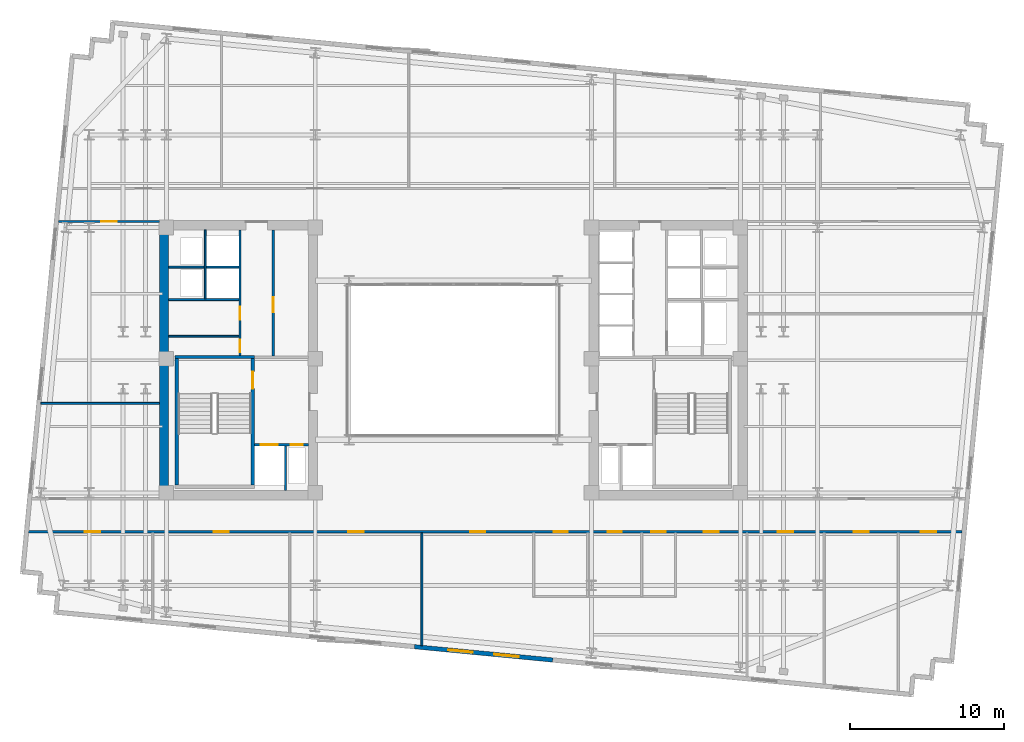
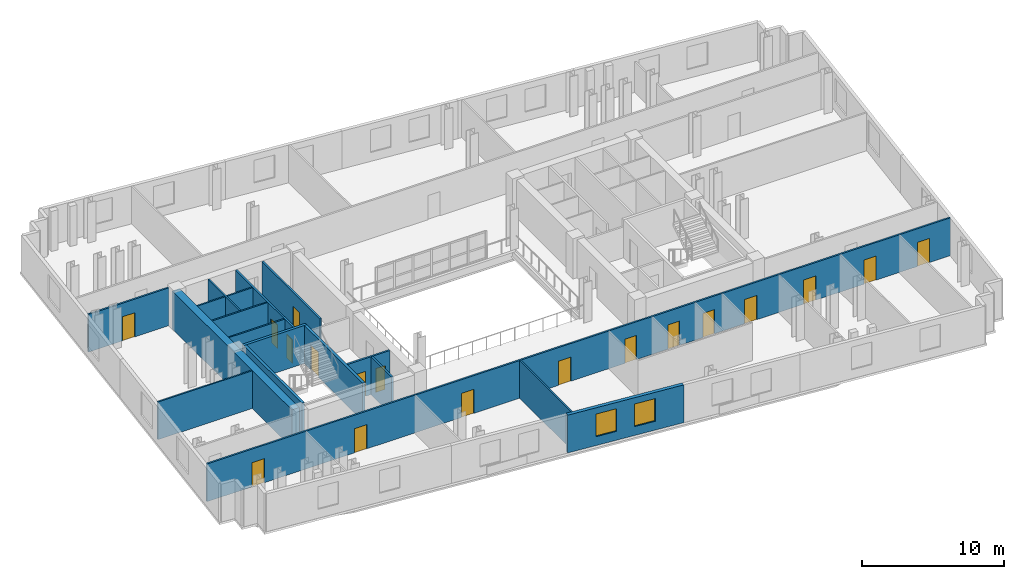
# One storey, part 5 of 10: 18 doors, 18 walls, 2 windows, 20 openings.
"""IFC4 building model written with IfcOpenShell, lengths in metres."""

from ifc_helpers import new_model, si_unit, direction, frame, frame_2d, origin, place, context, subcontext, project, spatial, rectangle, extrude, material, layer, layer_set, type_object, element, fill, save


model = new_model("IFC4")

# Units and contexts
model_context = context("Model", 3, precision=1e-05, world=origin(), true_north=direction((0.0, 1.0)))
body_context = subcontext(model_context, "Body", "Model", "MODEL_VIEW")
ifc_project = project(units=[si_unit("LENGTHUNIT", "METRE"), si_unit("AREAUNIT", "SQUARE_METRE"), si_unit("VOLUMEUNIT", "CUBIC_METRE"), si_unit("PLANEANGLEUNIT", "RADIAN"), si_unit("MASSUNIT", "GRAM", prefix="KILO")], contexts=[model_context])

# Site, building, storey
site_placement = place(None, origin())
site = spatial("IfcSite", under=ifc_project, at=site_placement, CompositionType="ELEMENT")
building_placement = place(site_placement, origin())
building = spatial("IfcBuilding", under=site, at=building_placement, Name="Velakula Bourse", CompositionType="ELEMENT")
storey_placement = place(building_placement, frame((0.0, 0.0, 174.199951171875)))
storey = spatial("IfcBuildingStorey", under=building, at=storey_placement, Name="L47", CompositionType="ELEMENT", Elevation=174.199951171875)

# Wall, opening, door
ifc_material_1 = material(Name="Concrete M50 (fck 50 MPa)", Category="concrete")
ifc_layer_1 = layer(ifc_material_1, 0.2099609375, Name="Concrete M50 (fck 50 MPa)", Category="concrete")
ifc_layer_set_1 = layer_set([ifc_layer_1], Name="Concrete M50 (fck 50 MPa)")
wall_type_1 = type_object("IfcWallType", Name="WL-CORE-210", PredefinedType="SHEAR", material=ifc_layer_set_1)
wall_1_placement = place(storey_placement, frame((-12.9951171875, -8.10009765625, 0.0), z_axis=(0.0, 0.0, 1.0), x_axis=(0.0, 1.0, 0.0)))
wall_1 = element("IfcWall", 1, at=wall_1_placement, inside=storey, type_object=wall_type_1, Name="L47 Core W Stairwell Shear Wall IN", PredefinedType="SHEAR", context=body_context, shape_type="SweptSolid", body=[
    extrude(rectangle(XDim=8.2001953125, YDim=0.2099609375, at=frame_2d((4.10009765625, 0.0))), origin(), (0.0, 0.0, 1.0), 3.27001953125),
])
opening_1_placement = place(wall_1_placement, frame((6.25, 0.0, 0.0)))
opening_1 = element("IfcOpeningElement", 2, at=opening_1_placement, cuts=wall_1, Name="Opening D-STW1", PredefinedType="OPENING", context=body_context, shape_type="SweptSolid", body=[
    extrude(rectangle(XDim=1.10009765625, YDim=2.14990234375, at=frame_2d((0.550048828125, 1.074951171875))), frame((0.0, 0.114990234375, 0.0), z_axis=(0.0, -1.0, 0.0), x_axis=(1.0, 0.0, 0.0)), (0.0, 0.0, 1.0), 0.22998046875),
])
ifc_material_2 = material(Name="Galvanised painted hollow steel fire door", Category="steel")
door_type_1 = type_object("IfcDoorType", Name="DR-FD120-1100x2150", OperationType="NOTDEFINED", PredefinedType="DOOR", material=ifc_material_2)
door_1_placement = place(opening_1_placement, origin())
door_1 = element("IfcDoor", 3, at=door_1_placement, inside=storey, type_object=door_type_1, Name="L47 Stair ST-W1 Fire Door", OperationType="SINGLE_SWING_LEFT", OverallHeight=2.14990234375, OverallWidth=1.10009765625, PredefinedType="DOOR", context=body_context, shape_type="SweptSolid", body=[
    extrude(rectangle(XDim=1.10009765625, YDim=2.14990234375, at=frame_2d((0.550048828125, 1.074951171875))), frame((0.0, 0.02490234375, 0.0), z_axis=(0.0, -1.0, 0.0), x_axis=(1.0, 0.0, 0.0)), (0.0, 0.0, 1.0), 0.050048828125),
])
fill(opening_1, door_1)

# Walls
wall_2_placement = place(storey_placement, frame((-17.925048828125, -8.10009765625, 0.0), z_axis=(0.0, 0.0, 1.0), x_axis=(0.0, 1.0, 0.0)))
element("IfcWall", 4, at=wall_2_placement, inside=storey, type_object=wall_type_1, Name="L47 Core W Stairwell Shear Wall OUT", PredefinedType="SHEAR", context=body_context, shape_type="SweptSolid", body=[
    extrude(rectangle(XDim=8.2001953125, YDim=0.2099609375, at=frame_2d((4.10009765625, 0.0))), origin(), (0.0, 0.0, 1.0), 3.27001953125),
])
wall_3_placement = place(storey_placement, frame((-12.889892578125, 0.205078125, 0.0), z_axis=(0.0, 0.0, 1.0), x_axis=(-1.0, 0.0, 0.0)))
element("IfcWall", 5, at=wall_3_placement, inside=storey, type_object=wall_type_1, Name="L47 Core W Stairwell Shear Wall N", PredefinedType="SHEAR", context=body_context, shape_type="SweptSolid", body=[
    extrude(rectangle(XDim=5.14013671875, YDim=0.2099609375, at=frame_2d((2.570068359375, 0.0))), origin(), (0.0, 0.0, 1.0), 3.27001953125),
])
ifc_material_3 = material(Name="Concrete M70 (fck 70 MPa)", Category="concrete")
ifc_layer_2 = layer(ifc_material_3, 0.60009765625, Name="Concrete M70 (fck 70 MPa)", Category="concrete")
ifc_layer_set_2 = layer_set([ifc_layer_2], Name="Concrete M70 (fck 70 MPa)")
wall_type_2 = type_object("IfcWallType", Name="WL-CORE-600", PredefinedType="SHEAR", material=ifc_layer_set_2)
wall_4_placement = place(storey_placement, frame((-18.75, -8.449951171875, 0.0), z_axis=(0.0, 0.0, 1.0), x_axis=(0.0, 1.0, 0.0)))
element("IfcWall", 6, at=wall_4_placement, inside=storey, type_object=wall_type_2, Name="L47 Core W Shear Wall W", PredefinedType="SHEAR", context=body_context, shape_type="SweptSolid", body=[
    extrude(rectangle(XDim=16.89990234375, YDim=0.60009765625, at=frame_2d((8.449951171875, 0.0))), origin(), (0.0, 0.0, 1.0), 3.27001953125),
])

# Wall, openings, windows
ifc_material_4 = material(Name="Red kilned clay facing brick masonry", Category="masonry")
ifc_layer_3 = layer(ifc_material_4, 0.280029296875, Name="Red kilned clay facing brick masonry", Category="masonry")
ifc_layer_set_3 = layer_set([ifc_layer_3], Name="Red kilned clay facing brick masonry")
wall_type_3 = type_object("IfcWallType", Name="WL-EXT-BRK-280", PredefinedType="STANDARD", material=ifc_layer_set_3)
wall_5_placement = place(storey_placement, frame((6.43994140625, -19.432861328125, 0.0), z_axis=(0.0, 0.0, 1.0), x_axis=(-0.995396794462, 0.09583956164, 0.0)))
wall_5 = element("IfcWall", 7, at=wall_5_placement, inside=storey, type_object=wall_type_3, Name="L47 S Brick Spandrel Wall B3", PredefinedType="STANDARD", context=body_context, shape_type="SweptSolid", body=[
    extrude(rectangle(XDim=9.0, YDim=0.280029296875, at=frame_2d((4.5, 0.0))), origin(), (0.0, 0.0, 1.0), 3.25),
])
opening_2_placement = place(wall_5_placement, frame((2.199951171875, 0.0, 0.760009765625)))
opening_2 = element("IfcOpeningElement", 8, at=opening_2_placement, cuts=wall_5, Name="Opening W-02", PredefinedType="OPENING", context=body_context, shape_type="SweptSolid", body=[
    extrude(rectangle(XDim=1.60009765625, YDim=1.949951171875, at=frame_2d((0.800048828125, 0.97509765625))), frame((0.0, 0.14990234375, 0.0), z_axis=(0.0, -1.0, 0.0), x_axis=(1.0, 0.0, 0.0)), (0.0, 0.0, 1.0), 0.300048828125),
])
opening_3_placement = place(wall_5_placement, frame((5.199951171875, 0.0, 0.760009765625)))
opening_3 = element("IfcOpeningElement", 9, at=opening_3_placement, cuts=wall_5, Name="Opening W-02", PredefinedType="OPENING", context=body_context, shape_type="SweptSolid", body=[
    extrude(rectangle(XDim=1.60009765625, YDim=1.949951171875, at=frame_2d((0.800048828125, 0.97509765625))), frame((0.0, 0.14990234375, 0.0), z_axis=(0.0, -1.0, 0.0), x_axis=(1.0, 0.0, 0.0)), (0.0, 0.0, 1.0), 0.300048828125),
])
ifc_material_5 = material(Name="Double-glazed solar-control Low-E glass", Category="glass")
window_type = type_object("IfcWindowType", Name="WIN-TWR-1600x2100", PartitioningType="SINGLE_PANEL", PredefinedType="WINDOW", material=ifc_material_5)
window_1_placement = place(opening_2_placement, origin())
window_1 = element("IfcWindow", 10, at=window_1_placement, inside=storey, type_object=window_type, Name="L47 Deep-Set Recessed Window 1", OverallHeight=1.949951171875, OverallWidth=1.60009765625, PartitioningType="SINGLE_PANEL", PredefinedType="WINDOW", context=body_context, shape_type="SweptSolid", body=[
    extrude(rectangle(XDim=1.60009765625, YDim=1.949951171875, at=frame_2d((0.800048828125, 0.97509765625))), frame((0.0, 0.030029296875, 0.0), z_axis=(0.0, -1.0, 0.0), x_axis=(1.0, 0.0, 0.0)), (0.0, 0.0, 1.0), 0.06005859375),
])
fill(opening_2, window_1)
window_2_placement = place(opening_3_placement, origin())
window_2 = element("IfcWindow", 11, at=window_2_placement, inside=storey, type_object=window_type, Name="L47 Deep-Set Recessed Window 2", OverallHeight=1.949951171875, OverallWidth=1.60009765625, PartitioningType="SINGLE_PANEL", PredefinedType="WINDOW", context=body_context, shape_type="SweptSolid", body=[
    extrude(rectangle(XDim=1.60009765625, YDim=1.949951171875, at=frame_2d((0.800048828125, 0.97509765625))), frame((0.0, 0.030029296875, 0.0), z_axis=(0.0, -1.0, 0.0), x_axis=(1.0, 0.0, 0.0)), (0.0, 0.0, 1.0), 0.06005859375),
])
fill(opening_3, window_2)

# Walls
ifc_material_6 = material(Name="Fire-rated double-layer gypsum drywall partition", Category="gypsum")
ifc_layer_4 = layer(ifc_material_6, 0.1201171875, Name="Fire-rated double-layer gypsum drywall partition", Category="gypsum")
ifc_layer_set_4 = layer_set([ifc_layer_4], Name="Fire-rated double-layer gypsum drywall partition")
wall_type_4 = type_object("IfcWallType", Name="WL-PART-120", PredefinedType="STANDARD", material=ifc_layer_set_4)
wall_6_placement = place(storey_placement, frame((-18.449951171875, 3.919921875, 0.0), z_axis=(0.0, 0.0, 1.0), x_axis=(1.0, 0.0, 0.0)))
element("IfcWall", 12, at=wall_6_placement, inside=storey, type_object=wall_type_4, Name="L47 Interior Partition WL-CRW-L47-HI-S", PredefinedType="STANDARD", context=body_context, shape_type="SweptSolid", body=[
    extrude(rectangle(XDim=4.550048828125, YDim=0.1201171875, at=frame_2d((2.27490234375, 0.0))), origin(), (0.0, 0.0, 1.0), 3.25),
])
wall_7_placement = place(storey_placement, frame((-18.449951171875, 6.030029296875, 0.0), z_axis=(0.0, 0.0, 1.0), x_axis=(1.0, 0.0, 0.0)))
element("IfcWall", 13, at=wall_7_placement, inside=storey, type_object=wall_type_4, Name="L47 Interior Partition WL-CRW-L47-RIS-MID", PredefinedType="STANDARD", context=body_context, shape_type="SweptSolid", body=[
    extrude(rectangle(XDim=2.300048828125, YDim=0.1201171875, at=frame_2d((1.14990234375, 0.0))), origin(), (0.0, 0.0, 1.0), 3.25),
])
wall_8_placement = place(storey_placement, frame((-16.074951171875, 3.97998046875, 0.0), z_axis=(0.0, 0.0, 1.0), x_axis=(0.0, 1.0, 0.0)))
element("IfcWall", 14, at=wall_8_placement, inside=storey, type_object=wall_type_4, Name="L47 Interior Partition WL-CRW-L47-RIS-F", PredefinedType="STANDARD", context=body_context, shape_type="SweptSolid", body=[
    extrude(rectangle(XDim=4.469970703125, YDim=0.1201171875, at=frame_2d((2.23486328125, 0.0))), origin(), (0.0, 0.0, 1.0), 3.25),
])
wall_9_placement = place(storey_placement, frame((-16.0, 6.030029296875, 0.0), z_axis=(0.0, 0.0, 1.0), x_axis=(1.0, 0.0, 0.0)))
element("IfcWall", 15, at=wall_9_placement, inside=storey, type_object=wall_type_4, Name="L47 Interior Partition WL-CRW-L47-HI-DIV", PredefinedType="STANDARD", context=body_context, shape_type="SweptSolid", body=[
    extrude(rectangle(XDim=2.10009765625, YDim=0.1201171875, at=frame_2d((1.050048828125, 0.0))), origin(), (0.0, 0.0, 1.0), 3.25),
])
wall_10_placement = place(storey_placement, frame((-18.449951171875, 1.550048828125, 0.0), z_axis=(0.0, 0.0, 1.0), x_axis=(1.0, 0.0, 0.0)))
element("IfcWall", 16, at=wall_10_placement, inside=storey, type_object=wall_type_4, Name="L47 Interior Partition WL-CRW-L47-K1", PredefinedType="STANDARD", context=body_context, shape_type="SweptSolid", body=[
    extrude(rectangle(XDim=4.550048828125, YDim=0.1201171875, at=frame_2d((2.27490234375, 0.0))), origin(), (0.0, 0.0, 1.0), 3.25),
])
wall_11_placement = place(storey_placement, frame((-2.041015625, -18.495849609375, 0.0), z_axis=(0.0, 0.0, 1.0), x_axis=(0.0, 1.0, 0.0)))
element("IfcWall", 17, at=wall_11_placement, inside=storey, type_object=wall_type_4, Name="L47 Interior Partition WL-INT-L47-SL-D7", PredefinedType="STANDARD", context=body_context, shape_type="SweptSolid", body=[
    extrude(rectangle(XDim=7.305908203125, YDim=0.1201171875, at=frame_2d((3.65283203125, 0.0))), origin(), (0.0, 0.0, 1.0), 3.25),
])
wall_12_placement = place(storey_placement, frame((-26.738525390625, -2.800048828125, 0.0), z_axis=(0.0, 0.0, 1.0), x_axis=(1.0, 0.0, 0.0)))
element("IfcWall", 18, at=wall_12_placement, inside=storey, type_object=wall_type_4, Name="L47 Interior Partition WL-INT-L47-W-H", PredefinedType="STANDARD", context=body_context, shape_type="SweptSolid", body=[
    extrude(rectangle(XDim=7.6884765625, YDim=0.1201171875, at=frame_2d((3.84423828125, 0.0))), origin(), (0.0, 0.0, 1.0), 3.25),
])

# Wall, openings, doors
ifc_layer_5 = layer(ifc_material_6, 0.139892578125, Name="Fire-rated double-layer gypsum drywall partition", Category="gypsum")
ifc_layer_set_5 = layer_set([ifc_layer_5], Name="Fire-rated double-layer gypsum drywall partition")
wall_type_5 = type_object("IfcWallType", Name="WL-PART-140", PredefinedType="STANDARD", material=ifc_layer_set_5)
wall_13_placement = place(storey_placement, frame((-27.539794921875, -11.1201171875, 0.0), z_axis=(0.0, 0.0, 1.0), x_axis=(1.0, 0.0, 0.0)))
wall_13 = element("IfcWall", 19, at=wall_13_placement, inside=storey, type_object=wall_type_5, Name="L47 Interior Partition WL-INT-L47-S-CORR", PredefinedType="STANDARD", context=body_context, shape_type="SweptSolid", body=[
    extrude(rectangle(XDim=60.518798828125, YDim=0.139892578125, at=frame_2d((30.25927734375, 0.0))), origin(), (0.0, 0.0, 1.0), 3.25),
])
opening_4_placement = place(wall_13_placement, frame((34.02978515625, 0.0, 0.0)))
opening_4 = element("IfcOpeningElement", 20, at=opening_4_placement, cuts=wall_13, Name="Opening D-WT1", PredefinedType="OPENING", context=body_context, shape_type="SweptSolid", body=[
    extrude(rectangle(XDim=0.919921875, YDim=2.080078125, at=frame_2d((0.4599609375, 1.0400390625))), frame((0.0, 0.079833984375, 0.0), z_axis=(0.0, -1.0, 0.0), x_axis=(1.0, 0.0, 0.0)), (0.0, 0.0, 1.0), 0.159912109375),
])
opening_5_placement = place(wall_13_placement, frame((37.52978515625, 0.0, 0.0)))
opening_5 = element("IfcOpeningElement", 21, at=opening_5_placement, cuts=wall_13, Name="Opening D-WT1", PredefinedType="OPENING", context=body_context, shape_type="SweptSolid", body=[
    extrude(rectangle(XDim=0.919921875, YDim=2.080078125, at=frame_2d((0.4599609375, 1.0400390625))), frame((0.0, 0.079833984375, 0.0), z_axis=(0.0, -1.0, 0.0), x_axis=(1.0, 0.0, 0.0)), (0.0, 0.0, 1.0), 0.159912109375),
])
opening_6_placement = place(wall_13_placement, frame((40.379638671875, 0.0, 0.0)))
opening_6 = element("IfcOpeningElement", 22, at=opening_6_placement, cuts=wall_13, Name="Opening D-WC1", PredefinedType="OPENING", context=body_context, shape_type="SweptSolid", body=[
    extrude(rectangle(XDim=0.919921875, YDim=2.080078125, at=frame_2d((0.4599609375, 1.0400390625))), frame((0.0, 0.079833984375, 0.0), z_axis=(0.0, -1.0, 0.0), x_axis=(1.0, 0.0, 0.0)), (0.0, 0.0, 1.0), 0.159912109375),
])
opening_7_placement = place(wall_13_placement, frame((3.6533203125, 0.0, 0.0)))
opening_7 = element("IfcOpeningElement", 23, at=opening_7_placement, cuts=wall_13, Name="Opening D-OF1", PredefinedType="OPENING", context=body_context, shape_type="SweptSolid", body=[
    extrude(rectangle(XDim=1.0, YDim=2.080078125, at=frame_2d((0.5, 1.0400390625))), frame((0.0, 0.079833984375, 0.0), z_axis=(0.0, -1.0, 0.0), x_axis=(1.0, 0.0, 0.0)), (0.0, 0.0, 1.0), 0.159912109375),
])
opening_8_placement = place(wall_13_placement, frame((11.997802734375, 0.0, 0.0)))
opening_8 = element("IfcOpeningElement", 24, at=opening_8_placement, cuts=wall_13, Name="Opening D-OF1", PredefinedType="OPENING", context=body_context, shape_type="SweptSolid", body=[
    extrude(rectangle(XDim=1.0, YDim=2.080078125, at=frame_2d((0.5, 1.0400390625))), frame((0.0, 0.079833984375, 0.0), z_axis=(0.0, -1.0, 0.0), x_axis=(1.0, 0.0, 0.0)), (0.0, 0.0, 1.0), 0.159912109375),
])
opening_9_placement = place(wall_13_placement, frame((20.7197265625, 0.0, 0.0)))
opening_9 = element("IfcOpeningElement", 25, at=opening_9_placement, cuts=wall_13, Name="Opening D-OF1", PredefinedType="OPENING", context=body_context, shape_type="SweptSolid", body=[
    extrude(rectangle(XDim=1.0, YDim=2.080078125, at=frame_2d((0.5, 1.0400390625))), frame((0.0, 0.079833984375, 0.0), z_axis=(0.0, -1.0, 0.0), x_axis=(1.0, 0.0, 0.0)), (0.0, 0.0, 1.0), 0.159912109375),
])
opening_10_placement = place(wall_13_placement, frame((28.619140625, 0.0, 0.0)))
opening_10 = element("IfcOpeningElement", 26, at=opening_10_placement, cuts=wall_13, Name="Opening D-OF1", PredefinedType="OPENING", context=body_context, shape_type="SweptSolid", body=[
    extrude(rectangle(XDim=1.0, YDim=2.080078125, at=frame_2d((0.5, 1.0400390625))), frame((0.0, 0.079833984375, 0.0), z_axis=(0.0, -1.0, 0.0), x_axis=(1.0, 0.0, 0.0)), (0.0, 0.0, 1.0), 0.159912109375),
])
opening_11_placement = place(wall_13_placement, frame((43.753662109375, 0.0, 0.0)))
opening_11 = element("IfcOpeningElement", 27, at=opening_11_placement, cuts=wall_13, Name="Opening D-OF1", PredefinedType="OPENING", context=body_context, shape_type="SweptSolid", body=[
    extrude(rectangle(XDim=1.0, YDim=2.080078125, at=frame_2d((0.5, 1.0400390625))), frame((0.0, 0.079833984375, 0.0), z_axis=(0.0, -1.0, 0.0), x_axis=(1.0, 0.0, 0.0)), (0.0, 0.0, 1.0), 0.159912109375),
])
opening_12_placement = place(wall_13_placement, frame((48.566650390625, 0.0, 0.0)))
opening_12 = element("IfcOpeningElement", 28, at=opening_12_placement, cuts=wall_13, Name="Opening D-OF1", PredefinedType="OPENING", context=body_context, shape_type="SweptSolid", body=[
    extrude(rectangle(XDim=1.0, YDim=2.080078125, at=frame_2d((0.5, 1.0400390625))), frame((0.0, 0.079833984375, 0.0), z_axis=(0.0, -1.0, 0.0), x_axis=(1.0, 0.0, 0.0)), (0.0, 0.0, 1.0), 0.159912109375),
])
opening_13_placement = place(wall_13_placement, frame((53.47216796875, 0.0, 0.0)))
opening_13 = element("IfcOpeningElement", 29, at=opening_13_placement, cuts=wall_13, Name="Opening D-OF1", PredefinedType="OPENING", context=body_context, shape_type="SweptSolid", body=[
    extrude(rectangle(XDim=1.0, YDim=2.080078125, at=frame_2d((0.5, 1.0400390625))), frame((0.0, 0.079833984375, 0.0), z_axis=(0.0, -1.0, 0.0), x_axis=(1.0, 0.0, 0.0)), (0.0, 0.0, 1.0), 0.159912109375),
])
opening_14_placement = place(wall_13_placement, frame((57.822509765625, 0.0, 0.0)))
opening_14 = element("IfcOpeningElement", 30, at=opening_14_placement, cuts=wall_13, Name="Opening D-OF1", PredefinedType="OPENING", context=body_context, shape_type="SweptSolid", body=[
    extrude(rectangle(XDim=1.0, YDim=2.080078125, at=frame_2d((0.5, 1.0400390625))), frame((0.0, 0.079833984375, 0.0), z_axis=(0.0, -1.0, 0.0), x_axis=(1.0, 0.0, 0.0)), (0.0, 0.0, 1.0), 0.159912109375),
])
ifc_material_7 = material(Name="Fire-rated hardwood flush architectural door", Category="wood")
door_type_2 = type_object("IfcDoorType", Name="DR-OFF-1000", OperationType="NOTDEFINED", PredefinedType="DOOR", material=ifc_material_7)
door_2_placement = place(opening_7_placement, origin())
door_2 = element("IfcDoor", 31, at=door_2_placement, inside=storey, type_object=door_type_2, Name="L47 Quiet Financial Library Door", OperationType="SINGLE_SWING_LEFT", OverallHeight=2.080078125, OverallWidth=1.0, PredefinedType="DOOR", context=body_context, shape_type="SweptSolid", body=[
    extrude(rectangle(XDim=1.0, YDim=2.080078125, at=frame_2d((0.5, 1.0400390625))), frame((0.0, 0.02490234375, 0.0), z_axis=(0.0, -1.0, 0.0), x_axis=(1.0, 0.0, 0.0)), (0.0, 0.0, 1.0), 0.050048828125),
])
fill(opening_7, door_2)
door_3_placement = place(opening_8_placement, origin())
door_3 = element("IfcDoor", 32, at=door_3_placement, inside=storey, type_object=door_type_2, Name="L47 Company Secretary Office Door", OperationType="SINGLE_SWING_RIGHT", OverallHeight=2.080078125, OverallWidth=1.0, PredefinedType="DOOR", context=body_context, shape_type="SweptSolid", body=[
    extrude(rectangle(XDim=1.0, YDim=2.080078125, at=frame_2d((0.5, 1.0400390625))), frame((0.0, 0.02490234375, 0.0), z_axis=(0.0, -1.0, 0.0), x_axis=(1.0, 0.0, 0.0)), (0.0, 0.0, 1.0), 0.050048828125),
])
fill(opening_8, door_3)
door_4_placement = place(opening_9_placement, origin())
door_4 = element("IfcDoor", 33, at=door_4_placement, inside=storey, type_object=door_type_2, Name="L47 Risk Review Boardroom Door", OperationType="SINGLE_SWING_LEFT", OverallHeight=2.080078125, OverallWidth=1.0, PredefinedType="DOOR", context=body_context, shape_type="SweptSolid", body=[
    extrude(rectangle(XDim=1.0, YDim=2.080078125, at=frame_2d((0.5, 1.0400390625))), frame((0.0, 0.02490234375, 0.0), z_axis=(0.0, -1.0, 0.0), x_axis=(1.0, 0.0, 0.0)), (0.0, 0.0, 1.0), 0.050048828125),
])
fill(opening_9, door_4)
door_5_placement = place(opening_10_placement, origin())
door_5 = element("IfcDoor", 34, at=door_5_placement, inside=storey, type_object=door_type_2, Name="L47 Catering Servery Pantry Door", OperationType="SINGLE_SWING_RIGHT", OverallHeight=2.080078125, OverallWidth=1.0, PredefinedType="DOOR", context=body_context, shape_type="SweptSolid", body=[
    extrude(rectangle(XDim=1.0, YDim=2.080078125, at=frame_2d((0.5, 1.0400390625))), frame((0.0, 0.02490234375, 0.0), z_axis=(0.0, -1.0, 0.0), x_axis=(1.0, 0.0, 0.0)), (0.0, 0.0, 1.0), 0.050048828125),
])
fill(opening_10, door_5)
door_6_placement = place(opening_11_placement, origin())
door_6 = element("IfcDoor", 35, at=door_6_placement, inside=storey, type_object=door_type_2, Name="L47 Derivatives Dealing Workspace Door", OperationType="SINGLE_SWING_LEFT", OverallHeight=2.080078125, OverallWidth=1.0, PredefinedType="DOOR", context=body_context, shape_type="SweptSolid", body=[
    extrude(rectangle(XDim=1.0, YDim=2.080078125, at=frame_2d((0.5, 1.0400390625))), frame((0.0, 0.02490234375, 0.0), z_axis=(0.0, -1.0, 0.0), x_axis=(1.0, 0.0, 0.0)), (0.0, 0.0, 1.0), 0.050048828125),
])
fill(opening_11, door_6)
door_7_placement = place(opening_12_placement, origin())
door_7 = element("IfcDoor", 36, at=door_7_placement, inside=storey, type_object=door_type_2, Name="L47 Broadcast Control Office Door", OperationType="SINGLE_SWING_RIGHT", OverallHeight=2.080078125, OverallWidth=1.0, PredefinedType="DOOR", context=body_context, shape_type="SweptSolid", body=[
    extrude(rectangle(XDim=1.0, YDim=2.080078125, at=frame_2d((0.5, 1.0400390625))), frame((0.0, 0.02490234375, 0.0), z_axis=(0.0, -1.0, 0.0), x_axis=(1.0, 0.0, 0.0)), (0.0, 0.0, 1.0), 0.050048828125),
])
fill(opening_12, door_7)
door_8_placement = place(opening_13_placement, origin())
door_8 = element("IfcDoor", 37, at=door_8_placement, inside=storey, type_object=door_type_2, Name="L47 Quiet Financial Library Door", OperationType="SINGLE_SWING_LEFT", OverallHeight=2.080078125, OverallWidth=1.0, PredefinedType="DOOR", context=body_context, shape_type="SweptSolid", body=[
    extrude(rectangle(XDim=1.0, YDim=2.080078125, at=frame_2d((0.5, 1.0400390625))), frame((0.0, 0.02490234375, 0.0), z_axis=(0.0, -1.0, 0.0), x_axis=(1.0, 0.0, 0.0)), (0.0, 0.0, 1.0), 0.050048828125),
])
fill(opening_13, door_8)
door_9_placement = place(opening_14_placement, origin())
door_9 = element("IfcDoor", 38, at=door_9_placement, inside=storey, type_object=door_type_2, Name="L47 Company Secretary Office Door", OperationType="SINGLE_SWING_RIGHT", OverallHeight=2.080078125, OverallWidth=1.0, PredefinedType="DOOR", context=body_context, shape_type="SweptSolid", body=[
    extrude(rectangle(XDim=1.0, YDim=2.080078125, at=frame_2d((0.5, 1.0400390625))), frame((0.0, 0.02490234375, 0.0), z_axis=(0.0, -1.0, 0.0), x_axis=(1.0, 0.0, 0.0)), (0.0, 0.0, 1.0), 0.050048828125),
])
fill(opening_14, door_9)
door_type_3 = type_object("IfcDoorType", Name="DR-WC-950", OperationType="NOTDEFINED", PredefinedType="DOOR", material=ifc_material_7)
door_10_placement = place(opening_4_placement, origin())
door_10 = element("IfcDoor", 39, at=door_10_placement, inside=storey, type_object=door_type_3, Name="L47 Male Staff Toilet Door", OperationType="SINGLE_SWING_RIGHT", OverallHeight=2.080078125, OverallWidth=0.919921875, PredefinedType="DOOR", context=body_context, shape_type="SweptSolid", body=[
    extrude(rectangle(XDim=0.919921875, YDim=2.080078125, at=frame_2d((0.4599609375, 1.0400390625))), frame((0.0, 0.02490234375, 0.0), z_axis=(0.0, -1.0, 0.0), x_axis=(1.0, 0.0, 0.0)), (0.0, 0.0, 1.0), 0.050048828125),
])
fill(opening_4, door_10)
door_11_placement = place(opening_5_placement, origin())
door_11 = element("IfcDoor", 40, at=door_11_placement, inside=storey, type_object=door_type_3, Name="L47 Female Staff Toilet Door", OperationType="SINGLE_SWING_LEFT", OverallHeight=2.080078125, OverallWidth=0.919921875, PredefinedType="DOOR", context=body_context, shape_type="SweptSolid", body=[
    extrude(rectangle(XDim=0.919921875, YDim=2.080078125, at=frame_2d((0.4599609375, 1.0400390625))), frame((0.0, 0.02490234375, 0.0), z_axis=(0.0, -1.0, 0.0), x_axis=(1.0, 0.0, 0.0)), (0.0, 0.0, 1.0), 0.050048828125),
])
fill(opening_5, door_11)
door_12_placement = place(opening_6_placement, origin())
door_12 = element("IfcDoor", 41, at=door_12_placement, inside=storey, type_object=door_type_3, Name="L47 Accessible WC Door", OperationType="SINGLE_SWING_RIGHT", OverallHeight=2.080078125, OverallWidth=0.919921875, PredefinedType="DOOR", context=body_context, shape_type="SweptSolid", body=[
    extrude(rectangle(XDim=0.919921875, YDim=2.080078125, at=frame_2d((0.4599609375, 1.0400390625))), frame((0.0, 0.02490234375, 0.0), z_axis=(0.0, -1.0, 0.0), x_axis=(1.0, 0.0, 0.0)), (0.0, 0.0, 1.0), 0.050048828125),
])
fill(opening_6, door_12)

# Wall, opening, door
wall_14_placement = place(storey_placement, frame((-25.604248046875, 8.97998046875, 0.0), z_axis=(0.0, 0.0, 1.0), x_axis=(1.0, 0.0, 0.0)))
wall_14 = element("IfcWall", 42, at=wall_14_placement, inside=storey, type_object=wall_type_5, Name="L47 Interior Partition WL-INT-L47-W-NC", PredefinedType="STANDARD", context=body_context, shape_type="SweptSolid", body=[
    extrude(rectangle(XDim=6.55419921875, YDim=0.139892578125, at=frame_2d((3.277099609375, 0.0))), origin(), (0.0, 0.0, 1.0), 3.25),
])
opening_15_placement = place(wall_14_placement, frame((2.777099609375, 0.0, 0.0)))
opening_15 = element("IfcOpeningElement", 43, at=opening_15_placement, cuts=wall_14, Name="Opening D-OF1", PredefinedType="OPENING", context=body_context, shape_type="SweptSolid", body=[
    extrude(rectangle(XDim=1.0, YDim=2.080078125, at=frame_2d((0.5, 1.0400390625))), frame((0.0, 0.079833984375, 0.0), z_axis=(0.0, -1.0, 0.0), x_axis=(1.0, 0.0, 0.0)), (0.0, 0.0, 1.0), 0.159912109375),
])
door_13_placement = place(opening_15_placement, origin())
door_13 = element("IfcDoor", 44, at=door_13_placement, inside=storey, type_object=door_type_2, Name="L47 Broadcast Control Office Door", OperationType="SINGLE_SWING_LEFT", OverallHeight=2.080078125, OverallWidth=1.0, PredefinedType="DOOR", context=body_context, shape_type="SweptSolid", body=[
    extrude(rectangle(XDim=1.0, YDim=2.080078125, at=frame_2d((0.5, 1.0400390625))), frame((0.0, 0.02490234375, 0.0), z_axis=(0.0, -1.0, 0.0), x_axis=(1.0, 0.0, 0.0)), (0.0, 0.0, 1.0), 0.050048828125),
])
fill(opening_15, door_13)

# Wall, openings, doors
ifc_material_8 = material(Name="Autoclaved aerated concrete blockwork masonry", Category="masonry")
ifc_layer_6 = layer(ifc_material_8, 0.14990234375, Name="Autoclaved aerated concrete blockwork masonry", Category="masonry")
ifc_layer_set_6 = layer_set([ifc_layer_6], Name="Autoclaved aerated concrete blockwork masonry")
wall_type_6 = type_object("IfcWallType", Name="WL-SHAFT-150", PredefinedType="STANDARD", material=ifc_layer_set_6)
wall_15_placement = place(storey_placement, frame((-12.89501953125, -5.47509765625, 0.0), z_axis=(0.0, 0.0, 1.0), x_axis=(1.0, 0.0, 0.0)))
wall_15 = element("IfcWall", 45, at=wall_15_placement, inside=storey, type_object=wall_type_6, Name="L47 Interior Partition WL-CRW-L47-FFL-N", PredefinedType="STANDARD", context=body_context, shape_type="SweptSolid", body=[
    extrude(rectangle(XDim=3.4951171875, YDim=0.14990234375, at=frame_2d((1.74755859375, 0.0))), origin(), (0.0, 0.0, 1.0), 3.25),
])
opening_16_placement = place(wall_15_placement, frame((0.419921875, 0.0, 0.0)))
opening_16 = element("IfcOpeningElement", 46, at=opening_16_placement, cuts=wall_15, Name="Opening LD-FFL-1", PredefinedType="OPENING", context=body_context, shape_type="SweptSolid", body=[
    extrude(rectangle(XDim=1.10009765625, YDim=2.14990234375, at=frame_2d((0.550048828125, 1.074951171875))), frame((0.0, 0.0849609375, 0.0), z_axis=(0.0, -1.0, 0.0), x_axis=(1.0, 0.0, 0.0)), (0.0, 0.0, 1.0), 0.169921875),
])
opening_17_placement = place(wall_15_placement, frame((2.3701171875, 0.0, 0.0)))
opening_17 = element("IfcOpeningElement", 47, at=opening_17_placement, cuts=wall_15, Name="Opening D-RS1", PredefinedType="OPENING", context=body_context, shape_type="SweptSolid", body=[
    extrude(rectangle(XDim=0.75, YDim=2.050048828125, at=frame_2d((0.375, 1.02490234375))), frame((0.0, 0.0849609375, 0.0), z_axis=(0.0, -1.0, 0.0), x_axis=(1.0, 0.0, 0.0)), (0.0, 0.0, 1.0), 0.169921875),
])
door_type_4 = type_object("IfcDoorType", Name="DR-RISER-800", OperationType="NOTDEFINED", PredefinedType="DOOR", material=ifc_material_2)
door_14_placement = place(opening_17_placement, origin())
door_14 = element("IfcDoor", 48, at=door_14_placement, inside=storey, type_object=door_type_4, Name="L47 Fire Riser Access Door", OperationType="SINGLE_SWING_LEFT", OverallHeight=2.050048828125, OverallWidth=0.75, PredefinedType="DOOR", context=body_context, shape_type="SweptSolid", body=[
    extrude(rectangle(XDim=0.75, YDim=2.050048828125, at=frame_2d((0.375, 1.02490234375))), frame((0.0, 0.02490234375, 0.0), z_axis=(0.0, -1.0, 0.0), x_axis=(1.0, 0.0, 0.0)), (0.0, 0.0, 1.0), 0.050048828125),
])
fill(opening_17, door_14)
ifc_material_9 = material(Name="Brushed grade 316 stainless steel", Category="steel")
door_type_5 = type_object("IfcDoorType", Name="DR-SLIDE-FFL-1100", OperationType="DOUBLE_DOOR_SLIDING", PredefinedType="DOOR", material=ifc_material_9)
door_15_placement = place(opening_16_placement, origin())
door_15 = element("IfcDoor", 49, at=door_15_placement, inside=storey, type_object=door_type_5, Name="L47 Firefighting Lift FFL-1 Sliding Landing Door", OperationType="DOUBLE_DOOR_SLIDING", OverallHeight=2.14990234375, OverallWidth=1.10009765625, PredefinedType="DOOR", context=body_context, shape_type="SweptSolid", body=[
    extrude(rectangle(XDim=1.10009765625, YDim=2.14990234375, at=frame_2d((0.550048828125, 1.074951171875))), frame((0.0, 0.02490234375, 0.0), z_axis=(0.0, -1.0, 0.0), x_axis=(1.0, 0.0, 0.0)), (0.0, 0.0, 1.0), 0.050048828125),
])
fill(opening_16, door_15)

# Wall
wall_16_placement = place(storey_placement, frame((-10.875, -8.449951171875, 0.0), z_axis=(0.0, 0.0, 1.0), x_axis=(0.0, 1.0, 0.0)))
element("IfcWall", 50, at=wall_16_placement, inside=storey, type_object=wall_type_6, Name="L47 Interior Partition WL-CRW-L47-FR-DIV", PredefinedType="STANDARD", context=body_context, shape_type="SweptSolid", body=[
    extrude(rectangle(XDim=2.89990234375, YDim=0.14990234375, at=frame_2d((1.449951171875, 0.0))), origin(), (0.0, 0.0, 1.0), 3.25),
])

# Wall, opening, door
wall_17_placement = place(storey_placement, frame((-11.675048828125, 0.27001953125, 0.0), z_axis=(0.0, 0.0, 1.0), x_axis=(0.0, 1.0, 0.0)))
wall_17 = element("IfcWall", 51, at=wall_17_placement, inside=storey, type_object=wall_type_6, Name="L47 Interior Partition WL-CRW-L47-BANK-F", PredefinedType="STANDARD", context=body_context, shape_type="SweptSolid", body=[
    extrude(rectangle(XDim=8.179931640625, YDim=0.14990234375, at=frame_2d((4.08984375, 0.0))), origin(), (0.0, 0.0, 1.0), 3.25),
])
opening_18_placement = place(wall_17_placement, frame((2.85009765625, 0.0, 0.0)))
opening_18 = element("IfcOpeningElement", 52, at=opening_18_placement, cuts=wall_17, Name="Opening D-RC4", PredefinedType="OPENING", context=body_context, shape_type="SweptSolid", body=[
    extrude(rectangle(XDim=0.949951171875, YDim=2.050048828125, at=frame_2d((0.47509765625, 1.02490234375))), frame((0.0, 0.0849609375, 0.0), z_axis=(0.0, -1.0, 0.0), x_axis=(1.0, 0.0, 0.0)), (0.0, 0.0, 1.0), 0.169921875),
])
door_type_6 = type_object("IfcDoorType", Name="DR-FD60-950x2050", OperationType="NOTDEFINED", PredefinedType="DOOR", material=ifc_material_7)
door_16_placement = place(opening_18_placement, origin())
door_16 = element("IfcDoor", 53, at=door_16_placement, inside=storey, type_object=door_type_6, Name="L47 Reclaimed Multi-Bay Archive Room Door", OperationType="SINGLE_SWING_RIGHT", OverallHeight=2.050048828125, OverallWidth=0.949951171875, PredefinedType="DOOR", context=body_context, shape_type="SweptSolid", body=[
    extrude(rectangle(XDim=0.949951171875, YDim=2.050048828125, at=frame_2d((0.47509765625, 1.02490234375))), frame((0.0, 0.02490234375, 0.0), z_axis=(0.0, -1.0, 0.0), x_axis=(1.0, 0.0, 0.0)), (0.0, 0.0, 1.0), 0.050048828125),
])
fill(opening_18, door_16)

# Wall, openings, doors
wall_18_placement = place(storey_placement, frame((-13.824951171875, 0.27001953125, 0.0), z_axis=(0.0, 0.0, 1.0), x_axis=(0.0, 1.0, 0.0)))
wall_18 = element("IfcWall", 54, at=wall_18_placement, inside=storey, type_object=wall_type_6, Name="L47 Interior Partition WL-CRW-L47-OUT-F", PredefinedType="STANDARD", context=body_context, shape_type="SweptSolid", body=[
    extrude(rectangle(XDim=8.179931640625, YDim=0.14990234375, at=frame_2d((4.08984375, 0.0))), origin(), (0.0, 0.0, 1.0), 3.25),
])
opening_19_placement = place(wall_18_placement, frame((0.25, 0.0, 0.0)))
opening_19 = element("IfcOpeningElement", 55, at=opening_19_placement, cuts=wall_18, Name="Opening D-CS1", PredefinedType="OPENING", context=body_context, shape_type="SweptSolid", body=[
    extrude(rectangle(XDim=0.800048828125, YDim=2.050048828125, at=frame_2d((0.39990234375, 1.02490234375))), frame((0.0, 0.0849609375, 0.0), z_axis=(0.0, -1.0, 0.0), x_axis=(1.0, 0.0, 0.0)), (0.0, 0.0, 1.0), 0.169921875),
])
opening_20_placement = place(wall_18_placement, frame((2.35009765625, 0.0, 0.0)))
opening_20 = element("IfcOpeningElement", 56, at=opening_20_placement, cuts=wall_18, Name="Opening D-CW1", PredefinedType="OPENING", context=body_context, shape_type="SweptSolid", body=[
    extrude(rectangle(XDim=0.85009765625, YDim=2.050048828125, at=frame_2d((0.425048828125, 1.02490234375))), frame((0.0, 0.0849609375, 0.0), z_axis=(0.0, -1.0, 0.0), x_axis=(1.0, 0.0, 0.0)), (0.0, 0.0, 1.0), 0.169921875),
])
door_type_7 = type_object("IfcDoorType", Name="DR-INT-850", OperationType="NOTDEFINED", PredefinedType="DOOR", material=ifc_material_7)
door_17_placement = place(opening_20_placement, origin())
door_17 = element("IfcDoor", 57, at=door_17_placement, inside=storey, type_object=door_type_7, Name="L47 Core Janitor Closet Door", OperationType="SINGLE_SWING_RIGHT", OverallHeight=2.050048828125, OverallWidth=0.85009765625, PredefinedType="DOOR", context=body_context, shape_type="SweptSolid", body=[
    extrude(rectangle(XDim=0.85009765625, YDim=2.050048828125, at=frame_2d((0.425048828125, 1.02490234375))), frame((0.0, 0.02490234375, 0.0), z_axis=(0.0, -1.0, 0.0), x_axis=(1.0, 0.0, 0.0)), (0.0, 0.0, 1.0), 0.050048828125),
])
fill(opening_20, door_17)
door_type_8 = type_object("IfcDoorType", Name="DR-RISER-800x2050", OperationType="NOTDEFINED", PredefinedType="DOOR", material=ifc_material_2)
door_18_placement = place(opening_19_placement, origin())
door_18 = element("IfcDoor", 58, at=door_18_placement, inside=storey, type_object=door_type_8, Name="L47 Core Cleaner Store Door", OperationType="SINGLE_SWING_LEFT", OverallHeight=2.050048828125, OverallWidth=0.800048828125, PredefinedType="DOOR", context=body_context, shape_type="SweptSolid", body=[
    extrude(rectangle(XDim=0.800048828125, YDim=2.050048828125, at=frame_2d((0.39990234375, 1.02490234375))), frame((0.0, 0.02490234375, 0.0), z_axis=(0.0, -1.0, 0.0), x_axis=(1.0, 0.0, 0.0)), (0.0, 0.0, 1.0), 0.050048828125),
])
fill(opening_19, door_18)

save(model, "model.ifc")
